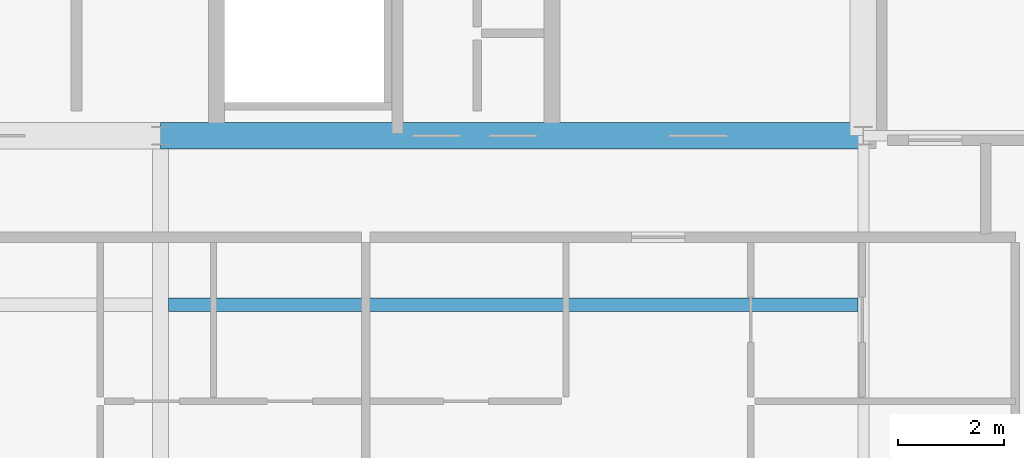
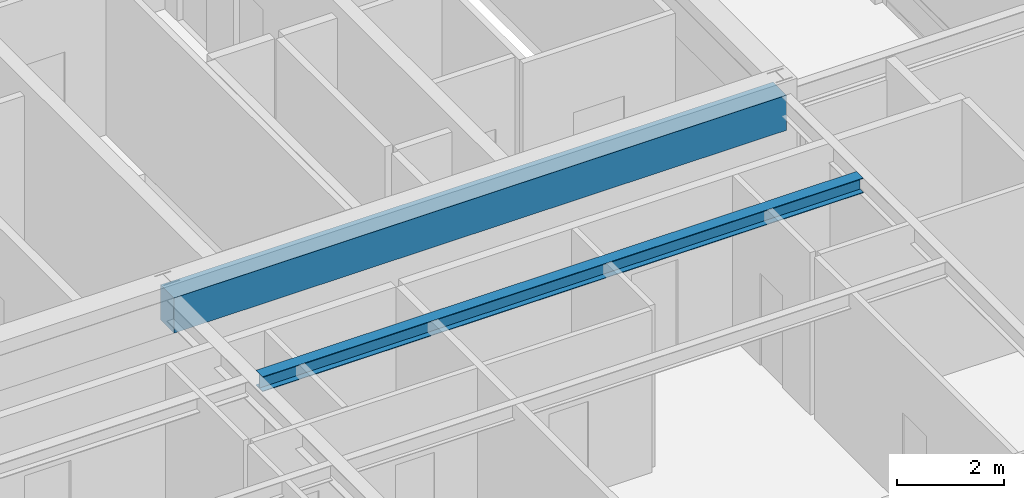
# One storey, part 10 of 34: 2 beams.
"""IFC4 building model written with IfcOpenShell, lengths in metres."""

from ifc_helpers import new_model, si_unit, direction, frame, origin, origin_2d, place, context, subcontext, project, spatial, rectangle, i_section, extrude, source, transform, mapped, material, material_profile, profile_set, type_object, element, save


model = new_model("IFC4")

# Units and contexts
model_context = context("Model", 3, precision=1e-05, world=origin(), true_north=direction((0.0, 1.0)))
body_context = subcontext(model_context, "Body", "Model", "MODEL_VIEW")
ifc_project = project(units=[si_unit("LENGTHUNIT", "METRE"), si_unit("AREAUNIT", "SQUARE_METRE"), si_unit("VOLUMEUNIT", "CUBIC_METRE"), si_unit("PLANEANGLEUNIT", "RADIAN"), si_unit("MASSUNIT", "GRAM", prefix="KILO"), si_unit("THERMODYNAMICTEMPERATUREUNIT", "KELVIN"), si_unit("POWERUNIT", "WATT")], contexts=[model_context])

# Site, building, storey
site_placement = place(None, origin())
site = spatial("IfcSite", under=ifc_project, at=site_placement, CompositionType="ELEMENT")
building_placement = place(site_placement, origin())
building = spatial("IfcBuilding", under=site, at=building_placement, Name="Yuzanri Waterfront Tower", CompositionType="ELEMENT")
storey_placement = place(building_placement, frame((0.0, 0.0, 347.199951171875)))
storey = spatial("IfcBuildingStorey", under=building, at=storey_placement, Name="L93", CompositionType="ELEMENT", Elevation=347.199951171875)

# Beams
ifc_material_1 = material(Name="Concrete C50", Category="concrete")
ifc_material_profile_1 = material_profile(ifc_material_1, rectangle(XDim=0.5, YDim=0.800048828125, at=origin_2d()), Name="RC 500x800")
ifc_profile_set_1 = profile_set([ifc_material_profile_1], Name="Concrete C50")
beam_type_1 = type_object("IfcBeamType", Name="Core Coupling Lintel Concrete C50 500x800", PredefinedType="LINTEL", material=ifc_profile_set_1)
shared_shape_1 = source(origin(), body_context, "Body", "SweptSolid", [
    extrude(rectangle(XDim=0.5, YDim=0.800048828125, at=origin_2d()), origin(), (0.0, 0.0, 1.0), 13.199951171875),
])
beam_1_placement = place(storey_placement, frame((37.0, 19.39990234375, 3.300048828125), z_axis=(1.0, 0.0, 0.0), x_axis=(0.0, 1.0, 0.0)))
element("IfcBeam", 1, at=beam_1_placement, inside=storey, type_object=beam_type_1, Name="L93 Core Tie Beam CS2", PredefinedType="LINTEL", context=body_context, shape_type="MappedRepresentation", body=[
    mapped(shared_shape_1, transform((0.0, 0.0, 0.0), scale=1.0)),
])
ifc_material_2 = material(Name="Steel Q355B", Category="steel")
ifc_material_profile_2 = material_profile(ifc_material_2, i_section(OverallWidth=0.25, OverallDepth=0.340087890625, WebThickness=0.009033203125, FlangeThickness=0.013916015625, at=origin_2d()), Name="HM 340x250x9x14")
ifc_profile_set_2 = profile_set([ifc_material_profile_2], Name="Steel Q355B")
beam_type_2 = type_object("IfcBeamType", Name="Penthouse Floor Girder Q355B HM 340x250", PredefinedType="BEAM", material=ifc_profile_set_2)
shared_shape_2 = source(origin(), body_context, "Body", "SweptSolid", [
    extrude(i_section(OverallWidth=0.25, OverallDepth=0.340087890625, WebThickness=0.009033203125, FlangeThickness=0.013916015625, at=origin_2d()), origin(), (0.0, 0.0, 1.0), 12.9501953125),
])
beam_2_placement = place(storey_placement, frame((37.14990234375, 16.22509765625, 3.530029296875), z_axis=(1.0, 0.0, 0.0), x_axis=(0.0, 1.0, 0.0)))
element("IfcBeam", 2, at=beam_2_placement, inside=storey, type_object=beam_type_2, Name="L93 Penthouse Trim Girder E", PredefinedType="BEAM", context=body_context, shape_type="MappedRepresentation", body=[
    mapped(shared_shape_2, transform((0.0, 0.0, 0.0), scale=1.0)),
])

save(model, "model.ifc")
